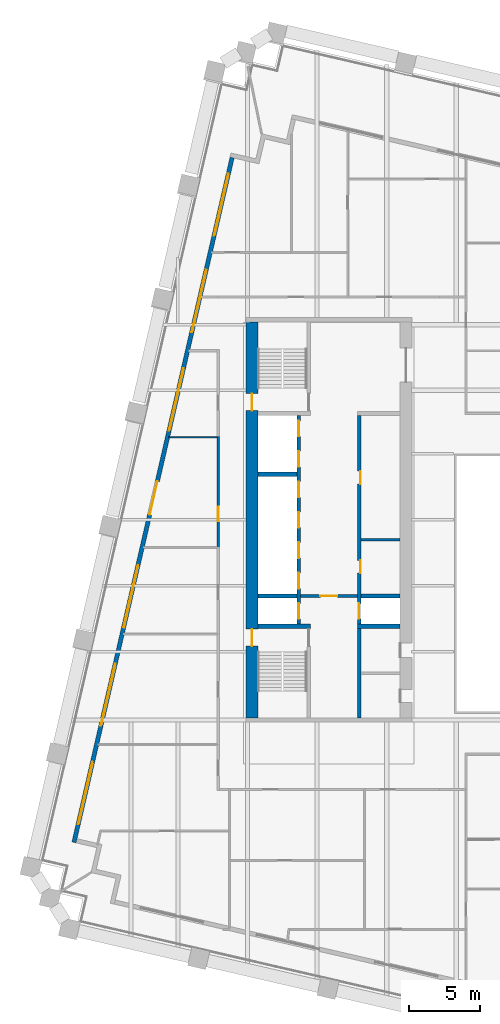
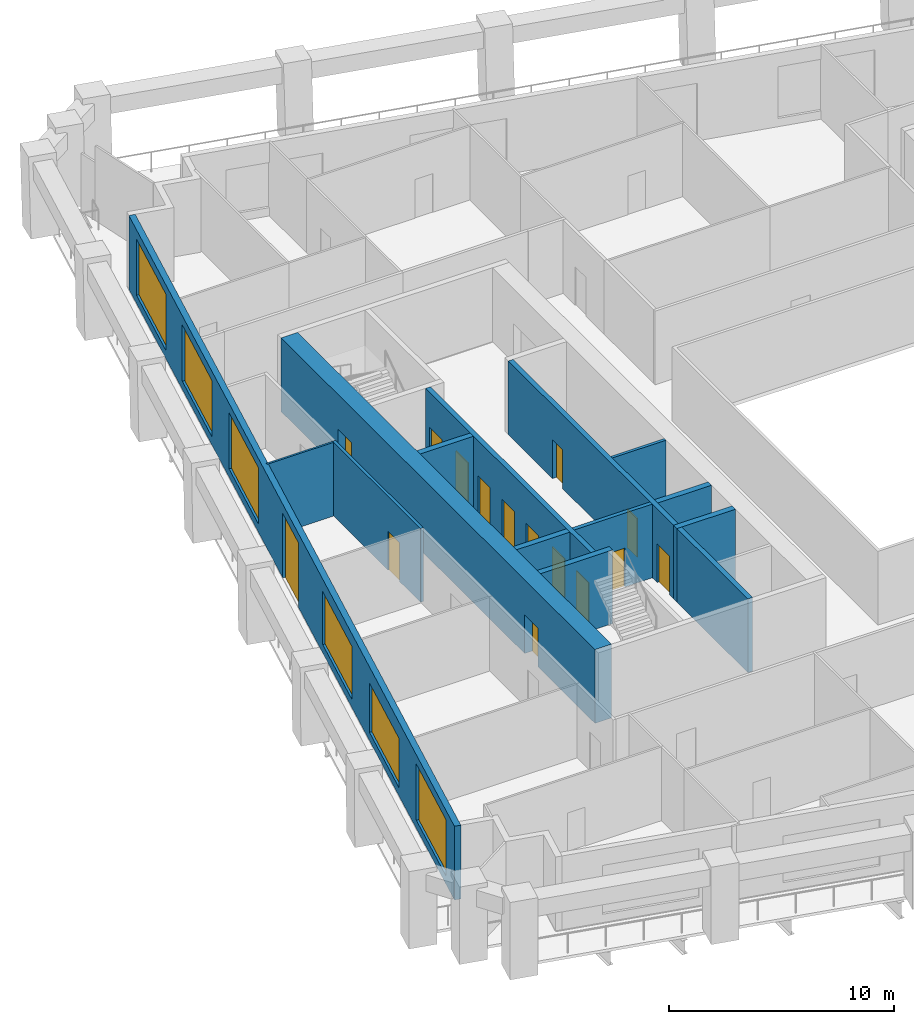
# One storey, part 6 of 12: 15 doors, 13 walls, 6 windows, 21 openings.
"""IFC4 building model written with IfcOpenShell, lengths in metres."""

from ifc_helpers import new_model, si_unit, direction, frame, frame_2d, origin, place, context, subcontext, project, spatial, rectangle, extrude, material, layer, layer_set, type_object, element, fill, save


model = new_model("IFC4")

# Units and contexts
model_context = context("Model", 3, precision=1e-05, world=origin(), true_north=direction((0.0, 1.0)))
body_context = subcontext(model_context, "Body", "Model", "MODEL_VIEW")
ifc_project = project(units=[si_unit("LENGTHUNIT", "METRE"), si_unit("AREAUNIT", "SQUARE_METRE"), si_unit("VOLUMEUNIT", "CUBIC_METRE"), si_unit("PLANEANGLEUNIT", "RADIAN"), si_unit("MASSUNIT", "GRAM", prefix="KILO")], contexts=[model_context])

# Site, building, storey
site_placement = place(None, origin())
site = spatial("IfcSite", under=ifc_project, at=site_placement, CompositionType="ELEMENT")
building_placement = place(site_placement, origin())
building = spatial("IfcBuilding", under=site, at=building_placement, Name="Ogive Exchange Tower", CompositionType="ELEMENT")
storey_placement = place(building_placement, frame((0.0, 0.0, 130.800048828125)))
storey = spatial("IfcBuildingStorey", under=building, at=storey_placement, Name="L28", CompositionType="ELEMENT", Elevation=130.800048828125)

# Wall
ifc_material_1 = material(Name="Gypsum board partition")
ifc_layer_1 = layer(ifc_material_1, 0.14990234375)
ifc_layer_set_1 = layer_set([ifc_layer_1], Name="Core room partition 150 gypsum")
wall_type_1 = type_object("IfcWallType", Name="Core room partition 150 gypsum", PredefinedType="PARTITIONING", material=ifc_layer_set_1)
wall_1_placement = place(storey_placement, frame((-13.75, 10.10009765625, 0.0), z_axis=(0.0, 0.0, 1.0), x_axis=(1.0, 0.0, 0.0)))
element("IfcWall", 1, at=wall_1_placement, inside=storey, type_object=wall_type_1, Name="W row B bay partition 1-1", PredefinedType="PARTITIONING", context=body_context, shape_type="SweptSolid", body=[
    extrude(rectangle(XDim=2.75, YDim=0.14990234375, at=frame_2d((1.375, 0.0))), origin(), (0.0, 0.0, 1.0), 4.0),
])

# Wall, opening, door
ifc_material_2 = material(Name="Fire partition EI 60 150")
ifc_layer_2 = layer(ifc_material_2, 0.14990234375)
ifc_layer_set_2 = layer_set([ifc_layer_2], Name="Fire partition EI 60 150")
wall_type_2 = type_object("IfcWallType", Name="Fire partition EI 60 150", PredefinedType="PARTITIONING", material=ifc_layer_set_2)
wall_2_placement = place(storey_placement, frame((-23.800048828125, 9.550048828125, 0.0), z_axis=(0.0, 0.0, 1.0), x_axis=(0.0, 1.0, 0.0)))
wall_2 = element("IfcWall", 2, at=wall_2_placement, inside=storey, type_object=wall_type_2, Name="L28-PWL-009", PredefinedType="PARTITIONING", context=body_context, shape_type="SweptSolid", body=[
    extrude(rectangle(XDim=7.820068359375, YDim=0.14990234375, at=frame_2d((3.91015625, 0.0))), origin(), (0.0, 0.0, 1.0), 4.0),
])
opening_1_placement = place(wall_2_placement, frame((1.8701171875, 0.0, 0.0)))
opening_1 = element("IfcOpeningElement", 3, at=opening_1_placement, cuts=wall_2, Name="Opening L28-I24", PredefinedType="OPENING", context=body_context, shape_type="SweptSolid", body=[
    extrude(rectangle(XDim=1.0, YDim=2.10009765625, at=frame_2d((0.5, 1.050048828125))), frame((0.0, 0.0849609375, 0.0), z_axis=(0.0, -1.0, 0.0), x_axis=(1.0, 0.0, 0.0)), (0.0, 0.0, 1.0), 0.169921875),
])
ifc_material_3 = material(Name="Fire door FD 30S 1000 x 2100")
door_type_1 = type_object("IfcDoorType", Name="Fire door FD 30S 1000 x 2100", OperationType="NOTDEFINED", PredefinedType="DOOR", material=ifc_material_3)
door_1_placement = place(opening_1_placement, origin())
door_1 = element("IfcDoor", 4, at=door_1_placement, inside=storey, type_object=door_type_1, Name="L28-IDR-024", ObjectType="DT3", OperationType="SINGLE_SWING_RIGHT", OverallHeight=2.10009765625, OverallWidth=1.0, PredefinedType="DOOR", context=body_context, shape_type="SweptSolid", body=[
    extrude(rectangle(XDim=1.0, YDim=2.10009765625, at=frame_2d((0.5, 1.050048828125))), frame((0.0, 0.02490234375, 0.0), z_axis=(0.0, -1.0, 0.0), x_axis=(1.0, 0.0, 0.0)), (0.0, 0.0, 1.0), 0.050048828125),
])
fill(opening_1, door_1)

# Wall, openings, door, windows
ifc_material_4 = material(Name="Precast concrete C40/50", Category="concrete")
ifc_layer_3 = layer(ifc_material_4, 0.300048828125)
ifc_layer_set_3 = layer_set([ifc_layer_3], Name="Limestone-faced wall 300")
wall_type_3 = type_object("IfcWallType", Name="Limestone-faced wall 300", PredefinedType="STANDARD", material=ifc_layer_set_3)
wall_3_placement = place(storey_placement, frame((-22.8203125, 37.015625, 0.0), z_axis=(0.0, 0.0, 1.0), x_axis=(-0.224953880882, -0.974369412223, 0.0)))
wall_3 = element("IfcWall", 5, at=wall_3_placement, inside=storey, type_object=wall_type_3, Name="External wall W4", PredefinedType="STANDARD", context=body_context, shape_type="SweptSolid", body=[
    extrude(rectangle(XDim=49.500244140625, YDim=0.300048828125, at=frame_2d((24.75, 0.0))), origin(), (0.0, 0.0, 1.0), 4.0),
])
opening_2_placement = place(wall_3_placement, frame((1.156982421875, 0.0, 0.449951171875)))
opening_2 = element("IfcOpeningElement", 6, at=opening_2_placement, cuts=wall_3, Name="Opening W1", PredefinedType="OPENING", context=body_context, shape_type="SweptSolid", body=[
    extrude(rectangle(XDim=4.5, YDim=3.050048828125, at=frame_2d((2.25, 1.52490234375))), frame((0.0, 0.159912109375, 0.0), z_axis=(0.0, -1.0, 0.0), x_axis=(1.0, 0.0, 0.0)), (0.0, 0.0, 1.0), 0.320068359375),
])
opening_3_placement = place(wall_3_placement, frame((8.121337890625, 0.0, 0.449951171875)))
opening_3 = element("IfcOpeningElement", 7, at=opening_3_placement, cuts=wall_3, Name="Opening W1", PredefinedType="OPENING", context=body_context, shape_type="SweptSolid", body=[
    extrude(rectangle(XDim=4.5, YDim=3.050048828125, at=frame_2d((2.25, 1.52490234375))), frame((0.0, 0.159912109375, 0.0), z_axis=(0.0, -1.0, 0.0), x_axis=(1.0, 0.0, 0.0)), (0.0, 0.0, 1.0), 0.320068359375),
])
opening_4_placement = place(wall_3_placement, frame((15.235595703125, 0.0, 0.449951171875)))
opening_4 = element("IfcOpeningElement", 8, at=opening_4_placement, cuts=wall_3, Name="Opening W1", PredefinedType="OPENING", context=body_context, shape_type="SweptSolid", body=[
    extrude(rectangle(XDim=4.5, YDim=3.050048828125, at=frame_2d((2.25, 1.52490234375))), frame((0.0, 0.159912109375, 0.0), z_axis=(0.0, -1.0, 0.0), x_axis=(1.0, 0.0, 0.0)), (0.0, 0.0, 1.0), 0.320068359375),
])
opening_5_placement = place(wall_3_placement, frame((23.39990234375, 0.0, 0.0)))
opening_5 = element("IfcOpeningElement", 9, at=opening_5_placement, cuts=wall_3, Name="Opening D1", PredefinedType="OPENING", context=body_context, shape_type="SweptSolid", body=[
    extrude(rectangle(XDim=2.39990234375, YDim=3.5, at=frame_2d((1.199951171875, 1.75))), frame((0.0, 0.159912109375, 0.0), z_axis=(0.0, -1.0, 0.0), x_axis=(1.0, 0.0, 0.0)), (0.0, 0.0, 1.0), 0.320068359375),
])
opening_6_placement = place(wall_3_placement, frame((29.464111328125, 0.0, 0.449951171875)))
opening_6 = element("IfcOpeningElement", 10, at=opening_6_placement, cuts=wall_3, Name="Opening W1D", PredefinedType="OPENING", context=body_context, shape_type="SweptSolid", body=[
    extrude(rectangle(XDim=4.5, YDim=2.875, at=frame_2d((2.25, 1.4375))), frame((0.0, 0.159912109375, 0.0), z_axis=(0.0, -1.0, 0.0), x_axis=(1.0, 0.0, 0.0)), (0.0, 0.0, 1.0), 0.320068359375),
])
opening_7_placement = place(wall_3_placement, frame((36.57861328125, 0.0, 0.449951171875)))
opening_7 = element("IfcOpeningElement", 11, at=opening_7_placement, cuts=wall_3, Name="Opening W1J", PredefinedType="OPENING", context=body_context, shape_type="SweptSolid", body=[
    extrude(rectangle(XDim=4.5, YDim=2.675048828125, at=frame_2d((2.25, 1.33740234375))), frame((0.0, 0.159912109375, 0.0), z_axis=(0.0, -1.0, 0.0), x_axis=(1.0, 0.0, 0.0)), (0.0, 0.0, 1.0), 0.320068359375),
])
opening_8_placement = place(wall_3_placement, frame((43.69287109375, 0.0, 0.449951171875)))
opening_8 = element("IfcOpeningElement", 12, at=opening_8_placement, cuts=wall_3, Name="Opening W1", PredefinedType="OPENING", context=body_context, shape_type="SweptSolid", body=[
    extrude(rectangle(XDim=4.5, YDim=3.050048828125, at=frame_2d((2.25, 1.52490234375))), frame((0.0, 0.159912109375, 0.0), z_axis=(0.0, -1.0, 0.0), x_axis=(1.0, 0.0, 0.0)), (0.0, 0.0, 1.0), 0.320068359375),
])
ifc_material_5 = material(Name="Clear glass in bronze frame", Category="glass")
door_type_2 = type_object("IfcDoorType", Name="Sliding loggia door 2400 x 3500", OperationType="DOUBLE_DOOR_SLIDING", PredefinedType="DOOR", material=ifc_material_5)
door_2_placement = place(opening_5_placement, origin())
door_2 = element("IfcDoor", 13, at=door_2_placement, inside=storey, type_object=door_type_2, Name="Loggia door W03", OperationType="DOUBLE_DOOR_SLIDING", OverallHeight=3.5, OverallWidth=2.39990234375, PredefinedType="DOOR", context=body_context, shape_type="SweptSolid", body=[
    extrude(rectangle(XDim=2.39990234375, YDim=3.5, at=frame_2d((1.199951171875, 1.75))), frame((0.0, 0.02490234375, 0.0), z_axis=(0.0, -1.0, 0.0), x_axis=(1.0, 0.0, 0.0)), (0.0, 0.0, 1.0), 0.050048828125),
])
fill(opening_5, door_2)
window_type_1 = type_object("IfcWindowType", Name="Twin lancet window 4500 x 2675", PartitioningType="DOUBLE_PANEL_VERTICAL", PredefinedType="WINDOW", material=ifc_material_5)
window_1_placement = place(opening_7_placement, origin())
window_1 = element("IfcWindow", 14, at=window_1_placement, inside=storey, type_object=window_type_1, Name="Window W05", OverallHeight=2.675048828125, OverallWidth=4.5, PartitioningType="DOUBLE_PANEL_VERTICAL", PredefinedType="WINDOW", context=body_context, shape_type="SweptSolid", body=[
    extrude(rectangle(XDim=4.5, YDim=2.675048828125, at=frame_2d((2.25, 1.33740234375))), frame((0.0, 0.030029296875, 0.0), z_axis=(0.0, -1.0, 0.0), x_axis=(1.0, 0.0, 0.0)), (0.0, 0.0, 1.0), 0.06005859375),
])
fill(opening_7, window_1)
window_type_2 = type_object("IfcWindowType", Name="Twin lancet window 4500 x 2875", PartitioningType="DOUBLE_PANEL_VERTICAL", PredefinedType="WINDOW", material=ifc_material_5)
window_2_placement = place(opening_6_placement, origin())
window_2 = element("IfcWindow", 15, at=window_2_placement, inside=storey, type_object=window_type_2, Name="Window W04", OverallHeight=2.875, OverallWidth=4.5, PartitioningType="DOUBLE_PANEL_VERTICAL", PredefinedType="WINDOW", context=body_context, shape_type="SweptSolid", body=[
    extrude(rectangle(XDim=4.5, YDim=2.875, at=frame_2d((2.25, 1.4375))), frame((0.0, 0.030029296875, 0.0), z_axis=(0.0, -1.0, 0.0), x_axis=(1.0, 0.0, 0.0)), (0.0, 0.0, 1.0), 0.06005859375),
])
fill(opening_6, window_2)
window_type_3 = type_object("IfcWindowType", Name="Twin lancet window 4500 x 3050", PartitioningType="DOUBLE_PANEL_VERTICAL", PredefinedType="WINDOW", material=ifc_material_5)
window_3_placement = place(opening_2_placement, origin())
window_3 = element("IfcWindow", 16, at=window_3_placement, inside=storey, type_object=window_type_3, Name="Window W00", OverallHeight=3.050048828125, OverallWidth=4.5, PartitioningType="DOUBLE_PANEL_VERTICAL", PredefinedType="WINDOW", context=body_context, shape_type="SweptSolid", body=[
    extrude(rectangle(XDim=4.5, YDim=3.050048828125, at=frame_2d((2.25, 1.52490234375))), frame((0.0, 0.030029296875, 0.0), z_axis=(0.0, -1.0, 0.0), x_axis=(1.0, 0.0, 0.0)), (0.0, 0.0, 1.0), 0.06005859375),
])
fill(opening_2, window_3)
window_4_placement = place(opening_3_placement, origin())
window_4 = element("IfcWindow", 17, at=window_4_placement, inside=storey, type_object=window_type_3, Name="Window W01", OverallHeight=3.050048828125, OverallWidth=4.5, PartitioningType="DOUBLE_PANEL_VERTICAL", PredefinedType="WINDOW", context=body_context, shape_type="SweptSolid", body=[
    extrude(rectangle(XDim=4.5, YDim=3.050048828125, at=frame_2d((2.25, 1.52490234375))), frame((0.0, 0.030029296875, 0.0), z_axis=(0.0, -1.0, 0.0), x_axis=(1.0, 0.0, 0.0)), (0.0, 0.0, 1.0), 0.06005859375),
])
fill(opening_3, window_4)
window_5_placement = place(opening_4_placement, origin())
window_5 = element("IfcWindow", 18, at=window_5_placement, inside=storey, type_object=window_type_3, Name="Window W02", OverallHeight=3.050048828125, OverallWidth=4.5, PartitioningType="DOUBLE_PANEL_VERTICAL", PredefinedType="WINDOW", context=body_context, shape_type="SweptSolid", body=[
    extrude(rectangle(XDim=4.5, YDim=3.050048828125, at=frame_2d((2.25, 1.52490234375))), frame((0.0, 0.030029296875, 0.0), z_axis=(0.0, -1.0, 0.0), x_axis=(1.0, 0.0, 0.0)), (0.0, 0.0, 1.0), 0.06005859375),
])
fill(opening_4, window_5)
window_6_placement = place(opening_8_placement, origin())
window_6 = element("IfcWindow", 19, at=window_6_placement, inside=storey, type_object=window_type_3, Name="Window W06", OverallHeight=3.050048828125, OverallWidth=4.5, PartitioningType="DOUBLE_PANEL_VERTICAL", PredefinedType="WINDOW", context=body_context, shape_type="SweptSolid", body=[
    extrude(rectangle(XDim=4.5, YDim=3.050048828125, at=frame_2d((2.25, 1.52490234375))), frame((0.0, 0.030029296875, 0.0), z_axis=(0.0, -1.0, 0.0), x_axis=(1.0, 0.0, 0.0)), (0.0, 0.0, 1.0), 0.06005859375),
])
fill(opening_8, window_6)

# Wall
ifc_material_6 = material(Name="Partition 100 gypsum")
ifc_layer_4 = layer(ifc_material_6, 0.10009765625)
ifc_layer_set_4 = layer_set([ifc_layer_4], Name="Partition 100 gypsum")
wall_type_4 = type_object("IfcWallType", Name="Partition 100 gypsum", PredefinedType="PARTITIONING", material=ifc_layer_set_4)
wall_4_placement = place(storey_placement, frame((-23.875, 17.320068359375, 0.0), z_axis=(0.0, 0.0, 1.0), x_axis=(-1.0, 0.0, 0.0)))
element("IfcWall", 20, at=wall_4_placement, inside=storey, type_object=wall_type_4, Name="L28-PWL-010", PredefinedType="PARTITIONING", context=body_context, shape_type="SweptSolid", body=[
    extrude(rectangle(XDim=3.4208984375, YDim=0.10009765625, at=frame_2d((1.71044921875, 0.0))), origin(), (0.0, 0.0, 1.0), 4.0),
])

# Wall, opening, door
ifc_material_7 = material(Name="Concrete C70/85", Category="concrete")
ifc_layer_5 = layer(ifc_material_7, 0.199951171875)
ifc_layer_set_5 = layer_set([ifc_layer_5], Name="RC core wall 200 C70/85")
wall_type_5 = type_object("IfcWallType", Name="RC core wall 200 C70/85", PredefinedType="SHEAR", material=ifc_layer_set_5)
wall_5_placement = place(storey_placement, frame((-18.0, 6.142822265625, 0.0), z_axis=(0.0, 0.0, 1.0), x_axis=(1.0, 0.0, 0.0)))
wall_5 = element("IfcWall", 21, at=wall_5_placement, inside=storey, type_object=wall_type_5, Name="W firefighting lobby wall", PredefinedType="SHEAR", context=body_context, shape_type="SweptSolid", body=[
    extrude(rectangle(XDim=4.0, YDim=0.199951171875, at=frame_2d((2.0, 0.0))), origin(), (0.0, 0.0, 1.0), 4.0),
])
opening_9_placement = place(wall_5_placement, frame((1.39990234375, 0.0, 0.0)))
opening_9 = element("IfcOpeningElement", 22, at=opening_9_placement, cuts=wall_5, Name="Opening L28-C11", PredefinedType="OPENING", context=body_context, shape_type="SweptSolid", body=[
    extrude(rectangle(XDim=1.199951171875, YDim=2.10009765625, at=frame_2d((0.60009765625, 1.050048828125))), frame((0.0, 0.10986328125, 0.0), z_axis=(0.0, -1.0, 0.0), x_axis=(1.0, 0.0, 0.0)), (0.0, 0.0, 1.0), 0.219970703125),
])
ifc_material_8 = material(Name="Steel fire door", Category="steel")
door_type_3 = type_object("IfcDoorType", Name="Firefighting lobby door FD60 1200 x 2100", OperationType="NOTDEFINED", PredefinedType="DOOR", material=ifc_material_8)
door_3_placement = place(opening_9_placement, frame((1.199951171875, 0.0, 0.0), z_axis=(0.0, 0.0, 1.0), x_axis=(-1.0, 0.0, 0.0)))
door_3 = element("IfcDoor", 23, at=door_3_placement, inside=storey, type_object=door_type_3, Name="Firefighting lobby door", ObjectType="CD3", OperationType="SINGLE_SWING_LEFT", OverallHeight=2.10009765625, OverallWidth=1.199951171875, PredefinedType="DOOR", context=body_context, shape_type="SweptSolid", body=[
    extrude(rectangle(XDim=1.199951171875, YDim=2.10009765625, at=frame_2d((0.60009765625, 1.050048828125))), frame((0.0, 0.02490234375, 0.0), z_axis=(0.0, -1.0, 0.0), x_axis=(1.0, 0.0, 0.0)), (0.0, 0.0, 1.0), 0.050048828125),
])
fill(opening_9, door_3)

# Wall, openings, doors
ifc_layer_6 = layer(ifc_material_7, 0.25)
ifc_layer_set_6 = layer_set([ifc_layer_6], Name="RC core wall 250 C70/85")
wall_type_6 = type_object("IfcWallType", Name="RC core wall 250 C70/85", PredefinedType="SHEAR", material=ifc_layer_set_6)
wall_6_placement = place(storey_placement, frame((-18.125, 4.14990234375, 0.0), z_axis=(0.0, 0.0, 1.0), x_axis=(0.0, 1.0, 0.0)))
wall_6 = element("IfcWall", 24, at=wall_6_placement, inside=storey, type_object=wall_type_6, Name="W row A front wall", PredefinedType="SHEAR", context=body_context, shape_type="SweptSolid", body=[
    extrude(rectangle(XDim=14.7001953125, YDim=0.25, at=frame_2d((7.35009765625, 0.0))), origin(), (0.0, 0.0, 1.0), 4.0),
])
opening_10_placement = place(wall_6_placement, frame((0.371337890625, 0.0, 0.0)))
opening_10 = element("IfcOpeningElement", 25, at=opening_10_placement, cuts=wall_6, Name="Opening L28-C01", PredefinedType="OPENING", context=body_context, shape_type="SweptSolid", body=[
    extrude(rectangle(XDim=1.10009765625, YDim=2.10009765625, at=frame_2d((0.550048828125, 1.050048828125))), frame((0.0, 0.135009765625, 0.0), z_axis=(0.0, -1.0, 0.0), x_axis=(1.0, 0.0, 0.0)), (0.0, 0.0, 1.0), 0.27001953125),
])
opening_11_placement = place(wall_6_placement, frame((2.514404296875, 0.0, 0.0)))
opening_11 = element("IfcOpeningElement", 26, at=opening_11_placement, cuts=wall_6, Name="Opening L28-C02", PredefinedType="OPENING", context=body_context, shape_type="SweptSolid", body=[
    extrude(rectangle(XDim=1.10009765625, YDim=2.10009765625, at=frame_2d((0.550048828125, 1.050048828125))), frame((0.0, 0.135009765625, 0.0), z_axis=(0.0, -1.0, 0.0), x_axis=(1.0, 0.0, 0.0)), (0.0, 0.0, 1.0), 0.27001953125),
])
opening_12_placement = place(wall_6_placement, frame((4.656982421875, 0.0, 0.0)))
opening_12 = element("IfcOpeningElement", 27, at=opening_12_placement, cuts=wall_6, Name="Opening L28-C03", PredefinedType="OPENING", context=body_context, shape_type="SweptSolid", body=[
    extrude(rectangle(XDim=1.10009765625, YDim=2.10009765625, at=frame_2d((0.550048828125, 1.050048828125))), frame((0.0, 0.135009765625, 0.0), z_axis=(0.0, -1.0, 0.0), x_axis=(1.0, 0.0, 0.0)), (0.0, 0.0, 1.0), 0.27001953125),
])
opening_13_placement = place(wall_6_placement, frame((6.800048828125, 0.0, 0.0)))
opening_13 = element("IfcOpeningElement", 28, at=opening_13_placement, cuts=wall_6, Name="Opening L28-C04", PredefinedType="OPENING", context=body_context, shape_type="SweptSolid", body=[
    extrude(rectangle(XDim=1.10009765625, YDim=2.10009765625, at=frame_2d((0.550048828125, 1.050048828125))), frame((0.0, 0.135009765625, 0.0), z_axis=(0.0, -1.0, 0.0), x_axis=(1.0, 0.0, 0.0)), (0.0, 0.0, 1.0), 0.27001953125),
])
opening_14_placement = place(wall_6_placement, frame((8.94287109375, 0.0, 0.0)))
opening_14 = element("IfcOpeningElement", 29, at=opening_14_placement, cuts=wall_6, Name="Opening L28-C05", PredefinedType="OPENING", context=body_context, shape_type="SweptSolid", body=[
    extrude(rectangle(XDim=1.10009765625, YDim=2.10009765625, at=frame_2d((0.550048828125, 1.050048828125))), frame((0.0, 0.135009765625, 0.0), z_axis=(0.0, -1.0, 0.0), x_axis=(1.0, 0.0, 0.0)), (0.0, 0.0, 1.0), 0.27001953125),
])
opening_15_placement = place(wall_6_placement, frame((11.085693359375, 0.0, 0.0)))
opening_15 = element("IfcOpeningElement", 30, at=opening_15_placement, cuts=wall_6, Name="Opening L28-C06", PredefinedType="OPENING", context=body_context, shape_type="SweptSolid", body=[
    extrude(rectangle(XDim=1.10009765625, YDim=2.10009765625, at=frame_2d((0.550048828125, 1.050048828125))), frame((0.0, 0.135009765625, 0.0), z_axis=(0.0, -1.0, 0.0), x_axis=(1.0, 0.0, 0.0)), (0.0, 0.0, 1.0), 0.27001953125),
])
opening_16_placement = place(wall_6_placement, frame((13.228515625, 0.0, 0.0)))
opening_16 = element("IfcOpeningElement", 31, at=opening_16_placement, cuts=wall_6, Name="Opening L28-C07", PredefinedType="OPENING", context=body_context, shape_type="SweptSolid", body=[
    extrude(rectangle(XDim=1.10009765625, YDim=2.10009765625, at=frame_2d((0.550048828125, 1.050048828125))), frame((0.0, 0.135009765625, 0.0), z_axis=(0.0, -1.0, 0.0), x_axis=(1.0, 0.0, 0.0)), (0.0, 0.0, 1.0), 0.27001953125),
])
ifc_material_9 = material(Name="Stainless steel", Category="steel")
door_type_4 = type_object("IfcDoorType", Name="Lift landing door FD90 1100 x 2100", OperationType="SLIDING_TO_LEFT", PredefinedType="DOOR", material=ifc_material_9)
door_4_placement = place(opening_10_placement, origin())
door_4 = element("IfcDoor", 32, at=door_4_placement, inside=storey, type_object=door_type_4, Name="Lift landing door FF1", ObjectType="LD", OperationType="SLIDING_TO_LEFT", OverallHeight=2.10009765625, OverallWidth=1.10009765625, PredefinedType="DOOR", context=body_context, shape_type="SweptSolid", body=[
    extrude(rectangle(XDim=1.10009765625, YDim=2.10009765625, at=frame_2d((0.550048828125, 1.050048828125))), frame((0.0, 0.02490234375, 0.0), z_axis=(0.0, -1.0, 0.0), x_axis=(1.0, 0.0, 0.0)), (0.0, 0.0, 1.0), 0.050048828125),
])
fill(opening_10, door_4)
door_5_placement = place(opening_11_placement, origin())
door_5 = element("IfcDoor", 33, at=door_5_placement, inside=storey, type_object=door_type_4, Name="Lift landing door W-L1", ObjectType="LD", OperationType="SLIDING_TO_LEFT", OverallHeight=2.10009765625, OverallWidth=1.10009765625, PredefinedType="DOOR", context=body_context, shape_type="SweptSolid", body=[
    extrude(rectangle(XDim=1.10009765625, YDim=2.10009765625, at=frame_2d((0.550048828125, 1.050048828125))), frame((0.0, 0.02490234375, 0.0), z_axis=(0.0, -1.0, 0.0), x_axis=(1.0, 0.0, 0.0)), (0.0, 0.0, 1.0), 0.050048828125),
])
fill(opening_11, door_5)
door_6_placement = place(opening_12_placement, origin())
door_6 = element("IfcDoor", 34, at=door_6_placement, inside=storey, type_object=door_type_4, Name="Lift landing door W-L2", ObjectType="LD", OperationType="SLIDING_TO_LEFT", OverallHeight=2.10009765625, OverallWidth=1.10009765625, PredefinedType="DOOR", context=body_context, shape_type="SweptSolid", body=[
    extrude(rectangle(XDim=1.10009765625, YDim=2.10009765625, at=frame_2d((0.550048828125, 1.050048828125))), frame((0.0, 0.02490234375, 0.0), z_axis=(0.0, -1.0, 0.0), x_axis=(1.0, 0.0, 0.0)), (0.0, 0.0, 1.0), 0.050048828125),
])
fill(opening_12, door_6)
door_7_placement = place(opening_13_placement, origin())
door_7 = element("IfcDoor", 35, at=door_7_placement, inside=storey, type_object=door_type_4, Name="Lift landing door W-L3", ObjectType="LD", OperationType="SLIDING_TO_LEFT", OverallHeight=2.10009765625, OverallWidth=1.10009765625, PredefinedType="DOOR", context=body_context, shape_type="SweptSolid", body=[
    extrude(rectangle(XDim=1.10009765625, YDim=2.10009765625, at=frame_2d((0.550048828125, 1.050048828125))), frame((0.0, 0.02490234375, 0.0), z_axis=(0.0, -1.0, 0.0), x_axis=(1.0, 0.0, 0.0)), (0.0, 0.0, 1.0), 0.050048828125),
])
fill(opening_13, door_7)
door_8_placement = place(opening_14_placement, origin())
door_8 = element("IfcDoor", 36, at=door_8_placement, inside=storey, type_object=door_type_4, Name="Lift landing door W-L4", ObjectType="LD", OperationType="SLIDING_TO_LEFT", OverallHeight=2.10009765625, OverallWidth=1.10009765625, PredefinedType="DOOR", context=body_context, shape_type="SweptSolid", body=[
    extrude(rectangle(XDim=1.10009765625, YDim=2.10009765625, at=frame_2d((0.550048828125, 1.050048828125))), frame((0.0, 0.02490234375, 0.0), z_axis=(0.0, -1.0, 0.0), x_axis=(1.0, 0.0, 0.0)), (0.0, 0.0, 1.0), 0.050048828125),
])
fill(opening_14, door_8)
door_9_placement = place(opening_15_placement, origin())
door_9 = element("IfcDoor", 37, at=door_9_placement, inside=storey, type_object=door_type_4, Name="Lift landing door W-SH1", ObjectType="LD", OperationType="SLIDING_TO_LEFT", OverallHeight=2.10009765625, OverallWidth=1.10009765625, PredefinedType="DOOR", context=body_context, shape_type="SweptSolid", body=[
    extrude(rectangle(XDim=1.10009765625, YDim=2.10009765625, at=frame_2d((0.550048828125, 1.050048828125))), frame((0.0, 0.02490234375, 0.0), z_axis=(0.0, -1.0, 0.0), x_axis=(1.0, 0.0, 0.0)), (0.0, 0.0, 1.0), 0.050048828125),
])
fill(opening_15, door_9)
door_10_placement = place(opening_16_placement, origin())
door_10 = element("IfcDoor", 38, at=door_10_placement, inside=storey, type_object=door_type_4, Name="Lift landing door W-SH2", ObjectType="LD", OperationType="SLIDING_TO_LEFT", OverallHeight=2.10009765625, OverallWidth=1.10009765625, PredefinedType="DOOR", context=body_context, shape_type="SweptSolid", body=[
    extrude(rectangle(XDim=1.10009765625, YDim=2.10009765625, at=frame_2d((0.550048828125, 1.050048828125))), frame((0.0, 0.02490234375, 0.0), z_axis=(0.0, -1.0, 0.0), x_axis=(1.0, 0.0, 0.0)), (0.0, 0.0, 1.0), 0.050048828125),
])
fill(opening_16, door_10)

wall_7_placement = place(storey_placement, frame((-13.875, -2.449951171875, 0.0), z_axis=(0.0, 0.0, 1.0), x_axis=(0.0, 1.0, 0.0)))
wall_7 = element("IfcWall", 39, at=wall_7_placement, inside=storey, type_object=wall_type_6, Name="W row B front wall", PredefinedType="SHEAR", context=body_context, shape_type="SweptSolid", body=[
    extrude(rectangle(XDim=21.300048828125, YDim=0.25, at=frame_2d((10.64990234375, 0.0))), origin(), (0.0, 0.0, 1.0), 4.0),
])
opening_17_placement = place(wall_7_placement, frame((10.1962890625, 0.0, 0.0)))
opening_17 = element("IfcOpeningElement", 40, at=opening_17_placement, cuts=wall_7, Name="Opening L28-C08", PredefinedType="OPENING", context=body_context, shape_type="SweptSolid", body=[
    extrude(rectangle(XDim=0.89990234375, YDim=2.10009765625, at=frame_2d((0.449951171875, 1.050048828125))), frame((0.0, 0.135009765625, 0.0), z_axis=(0.0, -1.0, 0.0), x_axis=(1.0, 0.0, 0.0)), (0.0, 0.0, 1.0), 0.27001953125),
])
opening_18_placement = place(wall_7_placement, frame((16.47509765625, 0.0, 0.0)))
opening_18 = element("IfcOpeningElement", 41, at=opening_18_placement, cuts=wall_7, Name="Opening L28-C09", PredefinedType="OPENING", context=body_context, shape_type="SweptSolid", body=[
    extrude(rectangle(XDim=0.89990234375, YDim=2.10009765625, at=frame_2d((0.449951171875, 1.050048828125))), frame((0.0, 0.135009765625, 0.0), z_axis=(0.0, -1.0, 0.0), x_axis=(1.0, 0.0, 0.0)), (0.0, 0.0, 1.0), 0.27001953125),
])
opening_19_placement = place(wall_7_placement, frame((6.971435546875, 0.0, 0.0)))
opening_19 = element("IfcOpeningElement", 42, at=opening_19_placement, cuts=wall_7, Name="Opening L28-C10", PredefinedType="OPENING", context=body_context, shape_type="SweptSolid", body=[
    extrude(rectangle(XDim=1.10009765625, YDim=2.10009765625, at=frame_2d((0.550048828125, 1.050048828125))), frame((0.0, 0.135009765625, 0.0), z_axis=(0.0, -1.0, 0.0), x_axis=(1.0, 0.0, 0.0)), (0.0, 0.0, 1.0), 0.27001953125),
])
ifc_material_10 = material(Name="Timber fire door", Category="wood")
door_type_5 = type_object("IfcDoorType", Name="Core room door FD30S 900 x 2100", OperationType="NOTDEFINED", PredefinedType="DOOR", material=ifc_material_10)
door_11_placement = place(opening_18_placement, frame((0.89990234375, -0.2001953125, 0.0), z_axis=(0.0, 0.0, 1.0), x_axis=(-1.0, 0.0, 0.0)))
door_11 = element("IfcDoor", 43, at=door_11_placement, inside=storey, type_object=door_type_5, Name="Core room door", ObjectType="CD6", OperationType="SINGLE_SWING_RIGHT", OverallHeight=2.10009765625, OverallWidth=0.89990234375, PredefinedType="DOOR", context=body_context, shape_type="SweptSolid", body=[
    extrude(rectangle(XDim=0.89990234375, YDim=2.10009765625, at=frame_2d((0.449951171875, 1.050048828125))), frame((0.0, -0.0751953125, 0.0), z_axis=(0.0, -1.0, 0.0), x_axis=(1.0, 0.0, 0.0)), (0.0, 0.0, 1.0), 0.050048828125),
])
fill(opening_18, door_11)
door_12_placement = place(opening_19_placement, origin())
door_12 = element("IfcDoor", 44, at=door_12_placement, inside=storey, type_object=door_type_4, Name="Lift landing door SV1", ObjectType="LD", OperationType="SLIDING_TO_LEFT", OverallHeight=2.10009765625, OverallWidth=1.10009765625, PredefinedType="DOOR", context=body_context, shape_type="SweptSolid", body=[
    extrude(rectangle(XDim=1.10009765625, YDim=2.10009765625, at=frame_2d((0.550048828125, 1.050048828125))), frame((0.0, 0.02490234375, 0.0), z_axis=(0.0, -1.0, 0.0), x_axis=(1.0, 0.0, 0.0)), (0.0, 0.0, 1.0), 0.050048828125),
])
fill(opening_19, door_12)
door_type_6 = type_object("IfcDoorType", Name="Riser door FD60 900 x 2100", OperationType="NOTDEFINED", PredefinedType="DOOR", material=ifc_material_8)
door_13_placement = place(opening_17_placement, frame((0.89990234375, -0.2001953125, 0.0), z_axis=(0.0, 0.0, 1.0), x_axis=(-1.0, 0.0, 0.0)))
door_13 = element("IfcDoor", 45, at=door_13_placement, inside=storey, type_object=door_type_6, Name="Riser door", ObjectType="CD2", OperationType="SINGLE_SWING_RIGHT", OverallHeight=2.10009765625, OverallWidth=0.89990234375, PredefinedType="DOOR", context=body_context, shape_type="SweptSolid", body=[
    extrude(rectangle(XDim=0.89990234375, YDim=2.10009765625, at=frame_2d((0.449951171875, 1.050048828125))), frame((0.0, -0.0751953125, 0.0), z_axis=(0.0, -1.0, 0.0), x_axis=(1.0, 0.0, 0.0)), (0.0, 0.0, 1.0), 0.050048828125),
])
fill(opening_17, door_13)

# Walls
ifc_layer_7 = layer(ifc_material_7, 0.300048828125)
ifc_layer_set_7 = layer_set([ifc_layer_7], Name="RC core wall 300 C70/85")
wall_type_7 = type_object("IfcWallType", Name="RC core wall 300 C70/85", PredefinedType="SHEAR", material=ifc_layer_set_7)
wall_8_placement = place(storey_placement, frame((-21.0, 4.0, 0.0), z_axis=(0.0, 0.0, 1.0), x_axis=(1.0, 0.0, 0.0)))
element("IfcWall", 46, at=wall_8_placement, inside=storey, type_object=wall_type_7, Name="W stair S north wall", PredefinedType="SHEAR", context=body_context, shape_type="SweptSolid", body=[
    extrude(rectangle(XDim=3.699951171875, YDim=0.300048828125, at=frame_2d((1.85009765625, 0.0))), origin(), (0.0, 0.0, 1.0), 4.0),
])
for number, where, z_axis, x_axis, name in (
    (47, (-21.0, 6.142822265625, 0.0), (0.0, 0.0, 1.0), (1.0, 0.0, 0.0), "W row A divider 1"),
    (48, (-21.0, 14.71435546875, 0.0), (0.0, 0.0, 1.0), (1.0, 0.0, 0.0), "W row A divider 5"),
):
    element("IfcWall", number, at=place(storey_placement, frame(where, z_axis=z_axis, x_axis=x_axis)), inside=storey, type_object=wall_type_7, Name=name, PredefinedType="SHEAR", context=body_context, shape_type="SweptSolid", body=[
        extrude(rectangle(XDim=2.75, YDim=0.300048828125, at=frame_2d((1.375, 0.0))), origin(), (0.0, 0.0, 1.0), 4.0),
    ])
wall_9_placement = place(storey_placement, frame((-14.0, 4.0, 0.0), z_axis=(0.0, 0.0, 1.0), x_axis=(1.0, 0.0, 0.0)))
element("IfcWall", 49, at=wall_9_placement, inside=storey, type_object=wall_type_7, Name="W row B divider 0", PredefinedType="SHEAR", context=body_context, shape_type="SweptSolid", body=[
    extrude(rectangle(XDim=3.0, YDim=0.300048828125, at=frame_2d((1.5, 0.0))), origin(), (0.0, 0.0, 1.0), 4.0),
])
wall_10_placement = place(storey_placement, frame((-13.75, 6.142822265625, 0.0), z_axis=(0.0, 0.0, 1.0), x_axis=(1.0, 0.0, 0.0)))
element("IfcWall", 50, at=wall_10_placement, inside=storey, type_object=wall_type_7, Name="W row B divider 1", PredefinedType="SHEAR", context=body_context, shape_type="SweptSolid", body=[
    extrude(rectangle(XDim=2.75, YDim=0.300048828125, at=frame_2d((1.375, 0.0))), origin(), (0.0, 0.0, 1.0), 4.0),
])

# Wall, openings, doors
ifc_layer_8 = layer(ifc_material_7, 0.85009765625)
ifc_layer_set_8 = layer_set([ifc_layer_8], Name="RC core wall 850 C70/85")
wall_type_8 = type_object("IfcWallType", Name="RC core wall 850 C70/85", PredefinedType="SHEAR", material=ifc_layer_set_8)
wall_11_placement = place(storey_placement, frame((-21.425048828125, -2.449951171875, 0.0), z_axis=(0.0, 0.0, 1.0), x_axis=(0.0, 1.0, 0.0)))
wall_11 = element("IfcWall", 51, at=wall_11_placement, inside=storey, type_object=wall_type_8, Name="W outer wall", PredefinedType="SHEAR", context=body_context, shape_type="SweptSolid", body=[
    extrude(rectangle(XDim=27.89990234375, YDim=0.85009765625, at=frame_2d((13.949951171875, 0.0))), origin(), (0.0, 0.0, 1.0), 4.0),
])
opening_20_placement = place(wall_11_placement, frame((5.050048828125, 0.0, 0.0)))
opening_20 = element("IfcOpeningElement", 52, at=opening_20_placement, cuts=wall_11, Name="Opening L28-C14", PredefinedType="OPENING", context=body_context, shape_type="SweptSolid", body=[
    extrude(rectangle(XDim=1.199951171875, YDim=2.10009765625, at=frame_2d((0.60009765625, 1.050048828125))), frame((0.0, 0.43505859375, 0.0), z_axis=(0.0, -1.0, 0.0), x_axis=(1.0, 0.0, 0.0)), (0.0, 0.0, 1.0), 0.8701171875),
])
opening_21_placement = place(wall_11_placement, frame((21.64990234375, 0.0, 0.0)))
opening_21 = element("IfcOpeningElement", 53, at=opening_21_placement, cuts=wall_11, Name="Opening L28-C16", PredefinedType="OPENING", context=body_context, shape_type="SweptSolid", body=[
    extrude(rectangle(XDim=1.199951171875, YDim=2.10009765625, at=frame_2d((0.60009765625, 1.050048828125))), frame((0.0, 0.43505859375, 0.0), z_axis=(0.0, -1.0, 0.0), x_axis=(1.0, 0.0, 0.0)), (0.0, 0.0, 1.0), 0.8701171875),
])
door_type_7 = type_object("IfcDoorType", Name="Stair door FD90 1200 x 2100", OperationType="NOTDEFINED", PredefinedType="DOOR", material=ifc_material_8)
door_14_placement = place(opening_20_placement, frame((1.199951171875, 0.0, 0.0), z_axis=(0.0, 0.0, 1.0), x_axis=(-1.0, 0.0, 0.0)))
door_14 = element("IfcDoor", 54, at=door_14_placement, inside=storey, type_object=door_type_7, Name="Stair door", ObjectType="CD5", OperationType="SINGLE_SWING_RIGHT", OverallHeight=2.10009765625, OverallWidth=1.199951171875, PredefinedType="DOOR", context=body_context, shape_type="SweptSolid", body=[
    extrude(rectangle(XDim=1.199951171875, YDim=2.10009765625, at=frame_2d((0.60009765625, 1.050048828125))), frame((0.0, 0.02490234375, 0.0), z_axis=(0.0, -1.0, 0.0), x_axis=(1.0, 0.0, 0.0)), (0.0, 0.0, 1.0), 0.050048828125),
])
fill(opening_20, door_14)
door_15_placement = place(opening_21_placement, frame((1.199951171875, 0.0, 0.0), z_axis=(0.0, 0.0, 1.0), x_axis=(-1.0, 0.0, 0.0)))
door_15 = element("IfcDoor", 55, at=door_15_placement, inside=storey, type_object=door_type_7, Name="Stair door", ObjectType="CD5", OperationType="SINGLE_SWING_LEFT", OverallHeight=2.10009765625, OverallWidth=1.199951171875, PredefinedType="DOOR", context=body_context, shape_type="SweptSolid", body=[
    extrude(rectangle(XDim=1.199951171875, YDim=2.10009765625, at=frame_2d((0.60009765625, 1.050048828125))), frame((0.0, 0.02490234375, 0.0), z_axis=(0.0, -1.0, 0.0), x_axis=(1.0, 0.0, 0.0)), (0.0, 0.0, 1.0), 0.050048828125),
])
fill(opening_21, door_15)

save(model, "model.ifc")
